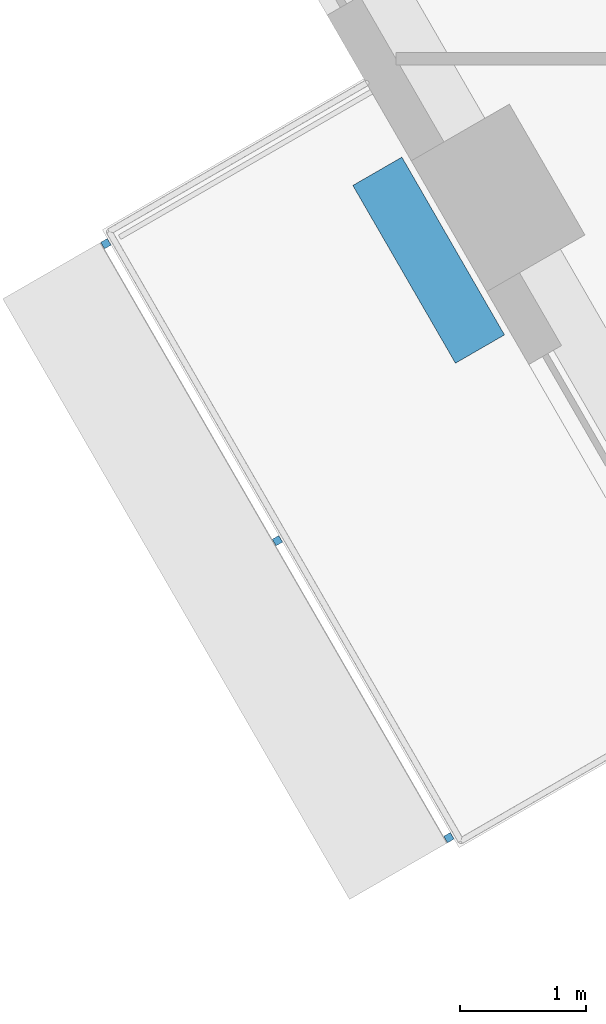
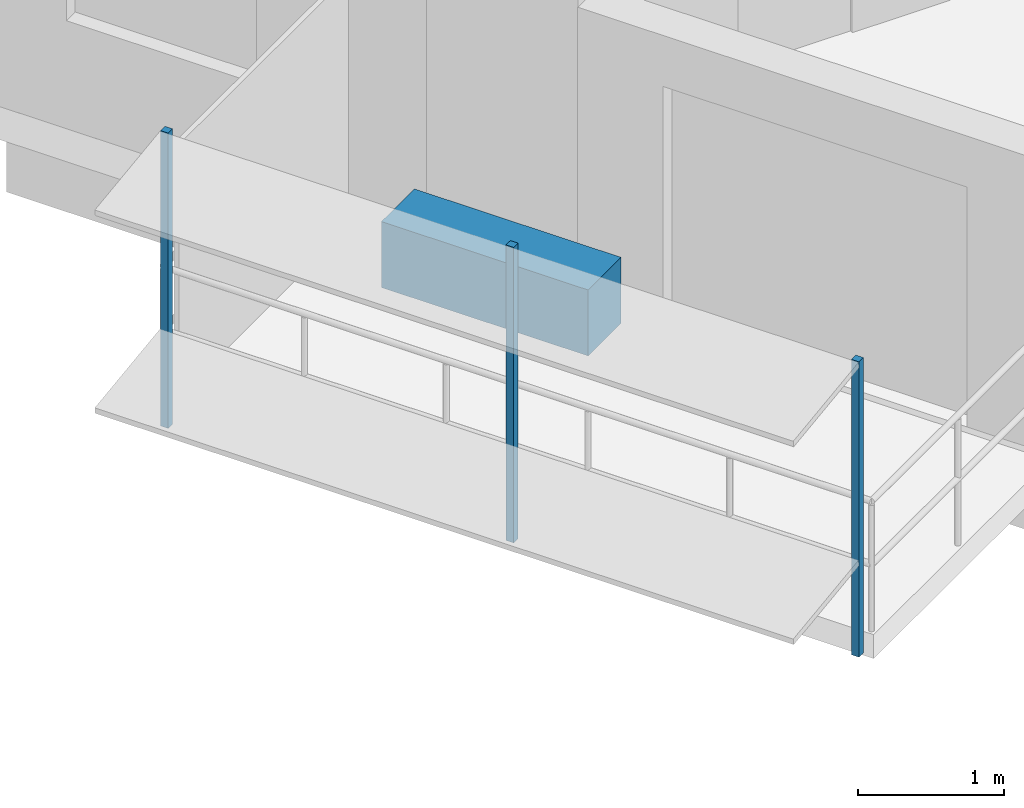
# One storey, part 10 of 15: 4 discrete accessories.
"""IFC4 building model written with IfcOpenShell, lengths in metres."""

from ifc_helpers import new_model, si_unit, direction, frame, origin, origin_2d, place, context, subcontext, project, spatial, rectangle, extrude, material, type_object, element, save


model = new_model("IFC4")

# Units and contexts
model_context = context("Model", 3, precision=1e-05, world=origin(), true_north=direction((0.0, 1.0)))
body_context = subcontext(model_context, "Body", "Model", "MODEL_VIEW")
ifc_project = project(units=[si_unit("LENGTHUNIT", "METRE"), si_unit("AREAUNIT", "SQUARE_METRE"), si_unit("VOLUMEUNIT", "CUBIC_METRE"), si_unit("PLANEANGLEUNIT", "RADIAN"), si_unit("MASSUNIT", "GRAM", prefix="KILO")], contexts=[model_context])

# Site, building, storey
site_placement = place(None, origin())
site = spatial("IfcSite", under=ifc_project, at=site_placement, CompositionType="ELEMENT")
building_placement = place(site_placement, origin())
building = spatial("IfcBuilding", under=site, at=building_placement, Name="Nakaniwa Court", CompositionType="ELEMENT")
storey_placement = place(building_placement, frame((0.0, 0.0, 183.300048828125)))
storey = spatial("IfcBuildingStorey", under=building, at=storey_placement, Name="L47", CompositionType="ELEMENT", Elevation=183.300048828125)

# Discrete accessories
ifc_material_1 = material(Name="Black powder-coated steel bracket S275", Category="steel")
discrete_accessory_type_1 = type_object("IfcDiscreteAccessoryType", Name="Black metal louvre bracket", PredefinedType="BRACKET", material=ifc_material_1)
for number, where, z_axis, x_axis, name in (
    (1, (57.7451171875, 68.386474609375, -0.22998046875), (0.0, 0.0, 1.0), (0.500016626402, -0.866015804314, 0.0), "L47 louvre bracket 01 1"),
    (2, (59.107421875, 66.02685546875, -0.22998046875), (0.0, 0.0, 1.0), (0.500016626402, -0.866015804314, 0.0), "L47 louvre bracket 01 2"),
    (3, (60.4697265625, 63.66748046875, -0.22998046875), (0.0, 0.0, 1.0), (0.500016626402, -0.866015804314, 0.0), "L47 louvre bracket 01 3"),
):
    element("IfcDiscreteAccessory", number, at=place(storey_placement, frame(where, z_axis=z_axis, x_axis=x_axis)), inside=storey, type_object=discrete_accessory_type_1, Name=name, PredefinedType="BRACKET", context=body_context, shape_type="SweptSolid", body=[
        extrude(rectangle(XDim=0.06005859375, YDim=0.06005859375, at=origin_2d()), origin(), (0.0, 0.0, 1.0), 2.46337890625),
    ])
ifc_material_2 = material(Name="Precast concrete C40/50 planter with planted soil", Category="concrete")
discrete_accessory_type_2 = type_object("IfcDiscreteAccessoryType", Name="Planter box charcoal concrete", PredefinedType="USERDEFINED", material=ifc_material_2)
discrete_accessory_placement = place(storey_placement, frame((60.30908203125, 68.25537109375, -0.05029296875), z_axis=(0.0, 0.0, 1.0), x_axis=(0.500016626402, -0.866015804314, 0.0)))
element("IfcDiscreteAccessory", 4, at=discrete_accessory_placement, inside=storey, type_object=discrete_accessory_type_2, Name="L47 balcony PLANTER 01", ObjectType="PLANTER", PredefinedType="USERDEFINED", context=body_context, shape_type="SweptSolid", body=[
    extrude(rectangle(XDim=1.630615234375, YDim=0.449951171875, at=origin_2d()), origin(), (0.0, 0.0, 1.0), 0.550048828125),
])

save(model, "model.ifc")
